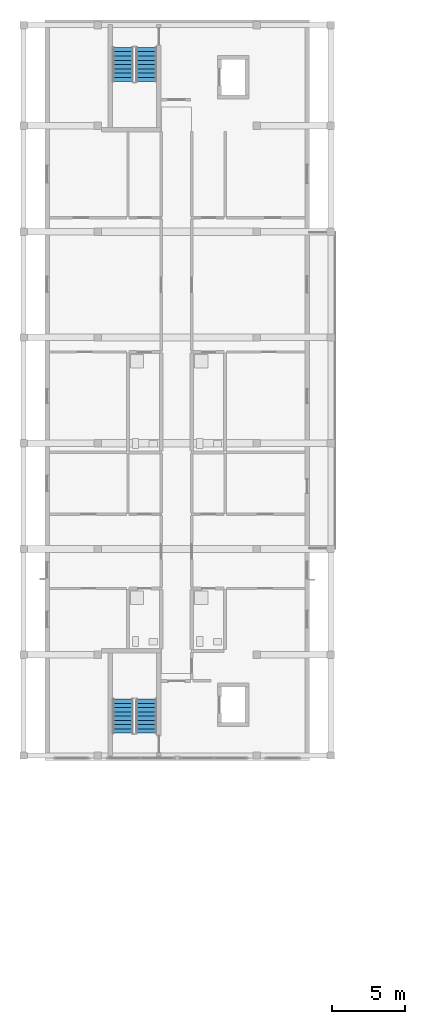
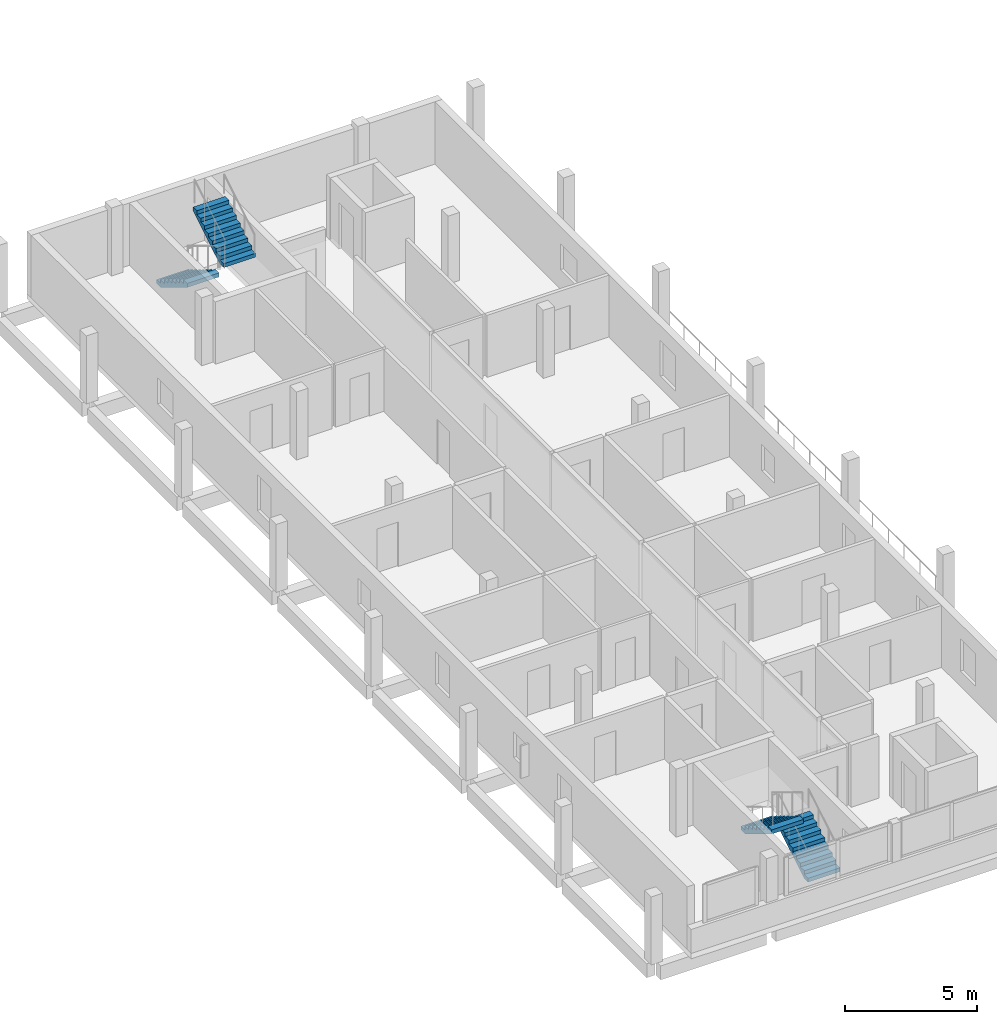
# One storey, part 11 of 16: 4 stair flights, 2 elements without a shape of their own.
"""IFC4 building model written with IfcOpenShell, lengths in metres."""

from ifc_helpers import new_model, si_unit, derived_unit, direction, frame, origin, place, context, subcontext, project, spatial, polyline, outline, extrude, material, type_object, element, aggregate, save


model = new_model("IFC4")

# Units and contexts
model_context = context("Model", 3, precision=1e-05, world=origin(), true_north=direction((0.0, 1.0)))
body_context = subcontext(model_context, "Body", "Model", "MODEL_VIEW")
ifc_project = project(units=[si_unit("LENGTHUNIT", "METRE"), si_unit("AREAUNIT", "SQUARE_METRE"), si_unit("VOLUMEUNIT", "CUBIC_METRE"), si_unit("PLANEANGLEUNIT", "RADIAN"), si_unit("MASSUNIT", "GRAM", prefix="KILO"), derived_unit("THERMALTRANSMITTANCEUNIT", [(si_unit("MASSUNIT", "GRAM", prefix="KILO"), 1), (si_unit("TIMEUNIT", "SECOND"), -3), (si_unit("THERMODYNAMICTEMPERATUREUNIT", "KELVIN"), -1)])], contexts=[model_context])

# Site, building, storey
site_placement = place(None, origin())
site = spatial("IfcSite", under=ifc_project, at=site_placement, CompositionType="ELEMENT")
building_placement = place(site_placement, origin())
building = spatial("IfcBuilding", under=site, at=building_placement, Name="Ochrekiln Boulevard Commons", CompositionType="ELEMENT")
storey_placement = place(building_placement, frame((0.0, 0.0, 40.425048828125)))
storey = spatial("IfcBuildingStorey", under=building, at=storey_placement, Name="L12", CompositionType="ELEMENT", Elevation=40.425048828125)

# Stair, stair flights
ifc_material = material(Name="Concrete C35/45", Category="concrete")
stair_type = type_object("IfcStairType", Name="STR-DL-315", PredefinedType="TWO_STRAIGHT_RUN_STAIR", material=ifc_material)
stair_1_placement = place(storey_placement, origin())
stair_1 = element("IfcStair", 1, at=stair_1_placement, inside=storey, type_object=stair_type, Name="L12 Enclosed Exit Stair ST-A1", PredefinedType="TWO_STRAIGHT_RUN_STAIR")
stair_flight_type = type_object("IfcStairFlightType", Name="SFL-ST-315", PredefinedType="STRAIGHT", material=ifc_material)
stair_flight_1_placement = place(storey_placement, frame((8.699951171875, 70.27001953125, 0.0), z_axis=(0.0, 0.0, 1.0), x_axis=(0.0, 1.0, 0.0)))
stair_flight_1 = element("IfcStairFlight", 2, at=stair_flight_1_placement, type_object=stair_flight_type, Name="ST-A1 flight 1", NumberOfRisers=9, NumberOfTreads=8, PredefinedType="STRAIGHT", RiserHeight=0.175, TreadLength=0.29, context=body_context, shape_type="SweptSolid", body=[
    extrude(outline(polyline([(0.0, 0.0), (0.0, 0.175048828125), (0.2900390625, 0.175048828125), (0.2900390625, 0.35009765625), (0.580078125, 0.35009765625), (0.580078125, 0.52490234375), (0.8701171875, 0.52490234375), (0.8701171875, 0.699951171875), (1.159912109375, 0.699951171875), (1.159912109375, 0.875), (1.449951171875, 0.875), (1.449951171875, 1.050048828125), (1.739990234375, 1.050048828125), (1.739990234375, 1.22509765625), (2.030029296875, 1.22509765625), (2.030029296875, 1.39990234375), (2.320068359375, 1.39990234375), (2.320068359375, 1.574951171875), (2.320068359375, 1.213134765625), (0.3095703125, 0.0), (0.0, 0.0)])), frame((0.0, 0.699951171875, 0.0), z_axis=(0.0, -1.0, 0.0), x_axis=(1.0, 0.0, 0.0)), (0.0, 0.0, 1.0), 1.39990234375),
])
stair_flight_2_placement = place(storey_placement, frame((7.10009765625, 72.590087890625, 1.574951171875), z_axis=(0.0, 0.0, 1.0), x_axis=(0.0, -1.0, 0.0)))
stair_flight_2 = element("IfcStairFlight", 3, at=stair_flight_2_placement, type_object=stair_flight_type, Name="ST-A1 flight 2", NumberOfRisers=9, NumberOfTreads=8, PredefinedType="STRAIGHT", RiserHeight=0.175, TreadLength=0.29, context=body_context, shape_type="SweptSolid", body=[
    extrude(outline(polyline([(0.0, 0.0), (0.0, 0.175048828125), (0.2900390625, 0.175048828125), (0.2900390625, 0.35009765625), (0.580078125, 0.35009765625), (0.580078125, 0.52490234375), (0.8701171875, 0.52490234375), (0.8701171875, 0.699951171875), (1.159912109375, 0.699951171875), (1.159912109375, 0.875), (1.449951171875, 0.875), (1.449951171875, 1.050048828125), (1.739990234375, 1.050048828125), (1.739990234375, 1.22509765625), (2.030029296875, 1.22509765625), (2.030029296875, 1.39990234375), (2.320068359375, 1.39990234375), (2.320068359375, 1.574951171875), (2.320068359375, 1.213134765625), (0.3095703125, 0.0), (0.0, 0.0)])), frame((0.0, 0.699951171875, 0.0), z_axis=(0.0, -1.0, 0.0), x_axis=(1.0, 0.0, 0.0)), (0.0, 0.0, 1.0), 1.39990234375),
])
aggregate(stair_1, [stair_flight_1, stair_flight_2])

stair_2_placement = place(storey_placement, origin())
stair_2 = element("IfcStair", 4, at=stair_2_placement, inside=storey, type_object=stair_type, Name="L12 Enclosed Exit Stair ST-A2", PredefinedType="TWO_STRAIGHT_RUN_STAIR")
stair_flight_3_placement = place(storey_placement, frame((7.10009765625, 116.929931640625, 0.0), z_axis=(0.0, 0.0, 1.0), x_axis=(0.0, -1.0, 0.0)))
stair_flight_3 = element("IfcStairFlight", 5, at=stair_flight_3_placement, type_object=stair_flight_type, Name="ST-A2 flight 1", NumberOfRisers=9, NumberOfTreads=8, PredefinedType="STRAIGHT", RiserHeight=0.175, TreadLength=0.29, context=body_context, shape_type="SweptSolid", body=[
    extrude(outline(polyline([(0.0, 0.0), (0.0, 0.175048828125), (0.2900390625, 0.175048828125), (0.2900390625, 0.35009765625), (0.580078125, 0.35009765625), (0.580078125, 0.52490234375), (0.8701171875, 0.52490234375), (0.8701171875, 0.699951171875), (1.159912109375, 0.699951171875), (1.159912109375, 0.875), (1.449951171875, 0.875), (1.449951171875, 1.050048828125), (1.739990234375, 1.050048828125), (1.739990234375, 1.22509765625), (2.030029296875, 1.22509765625), (2.030029296875, 1.39990234375), (2.320068359375, 1.39990234375), (2.320068359375, 1.574951171875), (2.320068359375, 1.213134765625), (0.3095703125, 0.0), (0.0, 0.0)])), frame((0.0, 0.699951171875, 0.0), z_axis=(0.0, -1.0, 0.0), x_axis=(1.0, 0.0, 0.0)), (0.0, 0.0, 1.0), 1.39990234375),
])
stair_flight_4_placement = place(storey_placement, frame((8.699951171875, 114.610107421875, 1.574951171875), z_axis=(0.0, 0.0, 1.0), x_axis=(0.0, 1.0, 0.0)))
stair_flight_4 = element("IfcStairFlight", 6, at=stair_flight_4_placement, type_object=stair_flight_type, Name="ST-A2 flight 2", NumberOfRisers=9, NumberOfTreads=8, PredefinedType="STRAIGHT", RiserHeight=0.175, TreadLength=0.29, context=body_context, shape_type="SweptSolid", body=[
    extrude(outline(polyline([(0.0, 0.0), (0.0, 0.175048828125), (0.2900390625, 0.175048828125), (0.2900390625, 0.35009765625), (0.580078125, 0.35009765625), (0.580078125, 0.52490234375), (0.8701171875, 0.52490234375), (0.8701171875, 0.699951171875), (1.159912109375, 0.699951171875), (1.159912109375, 0.875), (1.449951171875, 0.875), (1.449951171875, 1.050048828125), (1.739990234375, 1.050048828125), (1.739990234375, 1.22509765625), (2.030029296875, 1.22509765625), (2.030029296875, 1.39990234375), (2.320068359375, 1.39990234375), (2.320068359375, 1.574951171875), (2.320068359375, 1.213134765625), (0.3095703125, 0.0), (0.0, 0.0)])), frame((0.0, 0.699951171875, 0.0), z_axis=(0.0, -1.0, 0.0), x_axis=(1.0, 0.0, 0.0)), (0.0, 0.0, 1.0), 1.39990234375),
])
aggregate(stair_2, [stair_flight_3, stair_flight_4])

save(model, "model.ifc")
